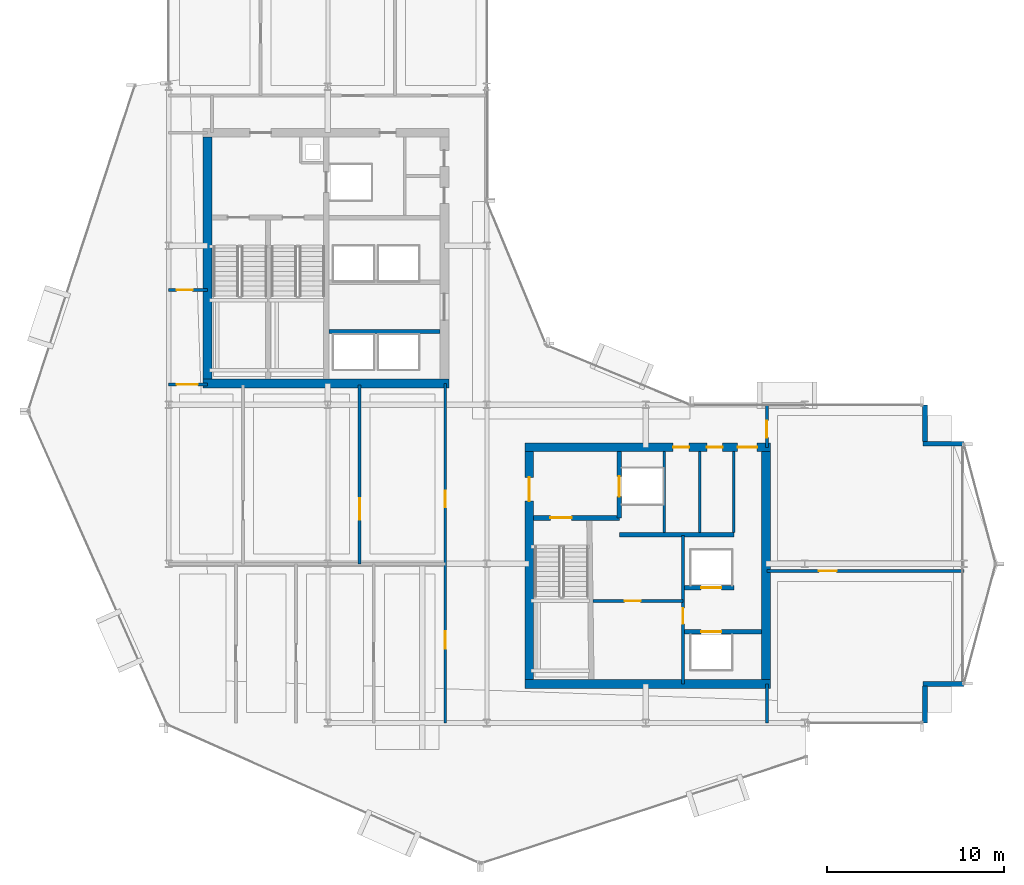
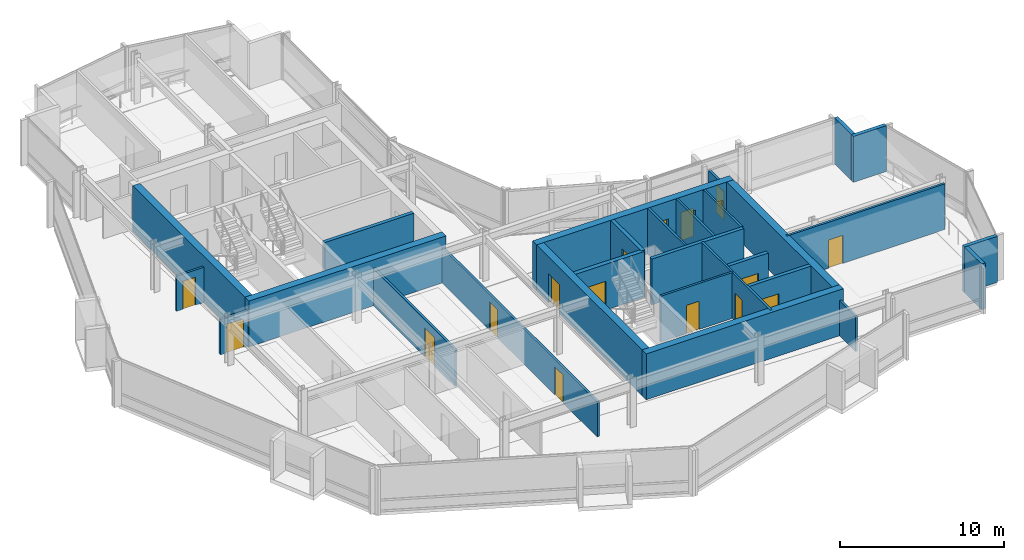
# One storey, part 22 of 28: 28 walls, 17 doors, 17 openings.
"""IFC4 building model written with IfcOpenShell, lengths in metres."""

from ifc_helpers import new_model, si_unit, direction, frame, frame_2d, origin, place, context, subcontext, project, spatial, rectangle, extrude, material, layer, layer_set, type_object, element, fill, save


model = new_model("IFC4")

# Units and contexts
model_context = context("Model", 3, precision=1e-05, world=origin(), true_north=direction((0.0, 1.0)))
body_context = subcontext(model_context, "Body", "Model", "MODEL_VIEW")
ifc_project = project(units=[si_unit("LENGTHUNIT", "METRE"), si_unit("AREAUNIT", "SQUARE_METRE"), si_unit("VOLUMEUNIT", "CUBIC_METRE"), si_unit("PLANEANGLEUNIT", "RADIAN"), si_unit("MASSUNIT", "GRAM", prefix="KILO")], contexts=[model_context])

# Site, building, storey
site_placement = place(None, origin())
site = spatial("IfcSite", under=ifc_project, at=site_placement, CompositionType="ELEMENT")
building_placement = place(site_placement, origin())
building = spatial("IfcBuilding", under=site, at=building_placement, Name="Solvaryn Broadcast Tower", CompositionType="ELEMENT")
storey_placement = place(building_placement, frame((0.0, 0.0, 158.10009765625)))
storey = spatial("IfcBuildingStorey", under=building, at=storey_placement, Name="L39", CompositionType="ELEMENT", Elevation=158.10009765625)

# Walls
ifc_material_1 = material(Name="Concrete f'c 70 MPa", Category="concrete")
ifc_layer_1 = layer(ifc_material_1, 0.5)
ifc_layer_set_1 = layer_set([ifc_layer_1], Name="CW-SHEAR-500")
wall_type_1 = type_object("IfcWallType", Name="CW-SHEAR-500", PredefinedType="SHEAR", material=ifc_layer_set_1)
wall_1_placement = place(storey_placement, frame((10.949951171875, 28.199951171875, 0.0), z_axis=(0.0, 0.0, 1.0), x_axis=(1.0, 0.0, 0.0)))
element("IfcWall", 1, at=wall_1_placement, inside=storey, type_object=wall_type_1, Name="L39 West Core South Shear Wall", PredefinedType="SHEAR", context=body_context, shape_type="SweptSolid", body=[
    extrude(rectangle(XDim=13.900146484375, YDim=0.5, at=frame_2d((6.9501953125, 0.0))), origin(), (0.0, 0.0, 1.0), 3.419921875),
])
wall_2_placement = place(storey_placement, frame((11.199951171875, 42.14990234375, 0.0), z_axis=(0.0, 0.0, 1.0), x_axis=(0.0, -1.0, 0.0)))
element("IfcWall", 2, at=wall_2_placement, inside=storey, type_object=wall_type_1, Name="L39 West Core West Shear Wall", PredefinedType="SHEAR", context=body_context, shape_type="SweptSolid", body=[
    extrude(rectangle(XDim=13.699951171875, YDim=0.5, at=frame_2d((6.85009765625, 0.0))), origin(), (0.0, 0.0, 1.0), 3.419921875),
])
wall_3_placement = place(storey_placement, frame((29.14990234375, 11.199951171875, 0.0), z_axis=(0.0, 0.0, 1.0), x_axis=(1.0, 0.0, 0.0)))
element("IfcWall", 3, at=wall_3_placement, inside=storey, type_object=wall_type_1, Name="L39 East Core South Shear Wall", PredefinedType="SHEAR", context=body_context, shape_type="SweptSolid", body=[
    extrude(rectangle(XDim=13.900146484375, YDim=0.5, at=frame_2d((6.9501953125, 0.0))), origin(), (0.0, 0.0, 1.0), 3.419921875),
])

# Wall, openings, doors
wall_4_placement = place(storey_placement, frame((43.050048828125, 24.60009765625, 0.0), z_axis=(0.0, 0.0, 1.0), x_axis=(-1.0, 0.0, 0.0)))
wall_4 = element("IfcWall", 4, at=wall_4_placement, inside=storey, type_object=wall_type_1, Name="L39 East Core North Shear Wall", PredefinedType="SHEAR", context=body_context, shape_type="SweptSolid", body=[
    extrude(rectangle(XDim=13.900146484375, YDim=0.5, at=frame_2d((6.9501953125, 0.0))), origin(), (0.0, 0.0, 1.0), 3.419921875),
])
opening_1_placement = place(wall_4_placement, frame((0.75, 0.0, 0.0)))
opening_1 = element("IfcOpeningElement", 5, at=opening_1_placement, cuts=wall_4, Name="Opening FD90C", PredefinedType="OPENING", context=body_context, shape_type="SweptSolid", body=[
    extrude(rectangle(XDim=1.10009765625, YDim=2.14990234375, at=frame_2d((0.550048828125, 1.074951171875))), frame((0.0, 0.260009765625, 0.0), z_axis=(0.0, -1.0, 0.0), x_axis=(1.0, 0.0, 0.0)), (0.0, 0.0, 1.0), 0.52001953125),
])
opening_2_placement = place(wall_4_placement, frame((2.699951171875, 0.0, 0.0)))
opening_2 = element("IfcOpeningElement", 6, at=opening_2_placement, cuts=wall_4, Name="Opening FD60C", PredefinedType="OPENING", context=body_context, shape_type="SweptSolid", body=[
    extrude(rectangle(XDim=0.89990234375, YDim=2.10009765625, at=frame_2d((0.449951171875, 1.050048828125))), frame((0.0, 0.260009765625, 0.0), z_axis=(0.0, -1.0, 0.0), x_axis=(1.0, 0.0, 0.0)), (0.0, 0.0, 1.0), 0.52001953125),
])
opening_3_placement = place(wall_4_placement, frame((4.60009765625, 0.0, 0.0)))
opening_3 = element("IfcOpeningElement", 7, at=opening_3_placement, cuts=wall_4, Name="Opening FD60C", PredefinedType="OPENING", context=body_context, shape_type="SweptSolid", body=[
    extrude(rectangle(XDim=0.89990234375, YDim=2.10009765625, at=frame_2d((0.449951171875, 1.050048828125))), frame((0.0, 0.260009765625, 0.0), z_axis=(0.0, -1.0, 0.0), x_axis=(1.0, 0.0, 0.0)), (0.0, 0.0, 1.0), 0.52001953125),
])
ifc_material_2 = material(Name="Flush Acoustic Steel and Timber Door Assembly", Category="steel")
door_type_1 = type_object("IfcDoorType", Name="FD60-SERV-900X2100", OperationType="NOTDEFINED", PredefinedType="DOOR", material=ifc_material_2)
door_1_placement = place(opening_2_placement, origin())
door_1 = element("IfcDoor", 8, at=door_1_placement, inside=storey, type_object=door_type_1, Name="L39 Staff Restroom Door", OperationType="SINGLE_SWING_LEFT", OverallHeight=2.10009765625, OverallWidth=0.89990234375, PredefinedType="DOOR", context=body_context, shape_type="SweptSolid", body=[
    extrude(rectangle(XDim=0.89990234375, YDim=2.10009765625, at=frame_2d((0.449951171875, 1.050048828125))), frame((0.0, 0.02490234375, 0.0), z_axis=(0.0, -1.0, 0.0), x_axis=(1.0, 0.0, 0.0)), (0.0, 0.0, 1.0), 0.050048828125),
])
fill(opening_2, door_1)
door_2_placement = place(opening_3_placement, origin())
door_2 = element("IfcDoor", 9, at=door_2_placement, inside=storey, type_object=door_type_1, Name="L39 Accessible WC Door", OperationType="SINGLE_SWING_RIGHT", OverallHeight=2.10009765625, OverallWidth=0.89990234375, PredefinedType="DOOR", context=body_context, shape_type="SweptSolid", body=[
    extrude(rectangle(XDim=0.89990234375, YDim=2.10009765625, at=frame_2d((0.449951171875, 1.050048828125))), frame((0.0, 0.02490234375, 0.0), z_axis=(0.0, -1.0, 0.0), x_axis=(1.0, 0.0, 0.0)), (0.0, 0.0, 1.0), 0.050048828125),
])
fill(opening_3, door_2)
ifc_material_3 = material(Name="Flush Acoustic Steel and Timber Door Assembly", Category="steel")
door_type_2 = type_object("IfcDoorType", Name="FD90-PLANT-1100X2150", OperationType="NOTDEFINED", PredefinedType="DOOR", material=ifc_material_3)
door_3_placement = place(opening_1_placement, origin())
door_3 = element("IfcDoor", 10, at=door_3_placement, inside=storey, type_object=door_type_2, Name="L39 East Core Lobby Corridor Door", OperationType="SINGLE_SWING_LEFT", OverallHeight=2.14990234375, OverallWidth=1.10009765625, PredefinedType="DOOR", context=body_context, shape_type="SweptSolid", body=[
    extrude(rectangle(XDim=1.10009765625, YDim=2.14990234375, at=frame_2d((0.550048828125, 1.074951171875))), frame((0.0, 0.02490234375, 0.0), z_axis=(0.0, -1.0, 0.0), x_axis=(1.0, 0.0, 0.0)), (0.0, 0.0, 1.0), 0.050048828125),
])
fill(opening_1, door_3)

# Wall, opening, door
wall_5_placement = place(storey_placement, frame((29.39990234375, 24.35009765625, 0.0), z_axis=(0.0, 0.0, 1.0), x_axis=(0.0, -1.0, 0.0)))
wall_5 = element("IfcWall", 11, at=wall_5_placement, inside=storey, type_object=wall_type_1, Name="L39 East Core West Shear Wall", PredefinedType="SHEAR", context=body_context, shape_type="SweptSolid", body=[
    extrude(rectangle(XDim=12.900146484375, YDim=0.5, at=frame_2d((6.4501953125, 0.0))), origin(), (0.0, 0.0, 1.0), 3.419921875),
])
opening_4_placement = place(wall_5_placement, frame((1.449951171875, 0.0, 0.0)))
opening_4 = element("IfcOpeningElement", 12, at=opening_4_placement, cuts=wall_5, Name="Opening FD90B", PredefinedType="OPENING", context=body_context, shape_type="SweptSolid", body=[
    extrude(rectangle(XDim=1.35009765625, YDim=2.14990234375, at=frame_2d((0.675048828125, 1.074951171875))), frame((0.0, 0.260009765625, 0.0), z_axis=(0.0, -1.0, 0.0), x_axis=(1.0, 0.0, 0.0)), (0.0, 0.0, 1.0), 0.52001953125),
])
ifc_material_4 = material(Name="Flush Acoustic Steel and Timber Door Assembly", Category="steel")
door_type_3 = type_object("IfcDoorType", Name="FD90-LOBBY-1350X2150", OperationType="NOTDEFINED", PredefinedType="DOOR", material=ifc_material_4)
door_4_placement = place(opening_4_placement, origin())
door_4 = element("IfcDoor", 13, at=door_4_placement, inside=storey, type_object=door_type_3, Name="L39 East FSAE Lobby Door", OperationType="SINGLE_SWING_RIGHT", OverallHeight=2.14990234375, OverallWidth=1.35009765625, PredefinedType="DOOR", context=body_context, shape_type="SweptSolid", body=[
    extrude(rectangle(XDim=1.35009765625, YDim=2.14990234375, at=frame_2d((0.675048828125, 1.074951171875))), frame((0.0, 0.02490234375, 0.0), z_axis=(0.0, -1.0, 0.0), x_axis=(1.0, 0.0, 0.0)), (0.0, 0.0, 1.0), 0.050048828125),
])
fill(opening_4, door_4)

# Walls
wall_6_placement = place(storey_placement, frame((42.800048828125, 11.449951171875, 0.0), z_axis=(0.0, 0.0, 1.0), x_axis=(0.0, 1.0, 0.0)))
element("IfcWall", 14, at=wall_6_placement, inside=storey, type_object=wall_type_1, Name="L39 East Core East Shear Wall", PredefinedType="SHEAR", context=body_context, shape_type="SweptSolid", body=[
    extrude(rectangle(XDim=12.900146484375, YDim=0.5, at=frame_2d((6.4501953125, 0.0))), origin(), (0.0, 0.0, 1.0), 3.419921875),
])
ifc_material_5 = material(Name="Concrete f'c 50 MPa", Category="concrete")
ifc_layer_2 = layer(ifc_material_5, 0.260009765625)
ifc_layer_set_2 = layer_set([ifc_layer_2], Name="EW-PIER-260")
wall_type_2 = type_object("IfcWallType", Name="EW-PIER-260", PredefinedType="SOLIDWALL", material=ifc_layer_set_2)
wall_7_placement = place(storey_placement, frame((51.800048828125, 9.0, 0.0), z_axis=(0.0, 0.0, 1.0), x_axis=(0.0, 1.0, 0.0)))
element("IfcWall", 15, at=wall_7_placement, inside=storey, type_object=wall_type_2, Name="L39 Notched Corner Pier Wall NSE1", PredefinedType="SOLIDWALL", context=body_context, shape_type="SweptSolid", body=[
    extrude(rectangle(XDim=2.080078125, YDim=0.260009765625, at=frame_2d((1.0400390625, 0.0))), origin(), (0.0, 0.0, 1.0), 3.419921875),
])
for number, where, z_axis, x_axis, name in (
    (16, (51.679931640625, 11.199951171875, 0.0), (0.0, 0.0, 1.0), (1.0, 0.0, 0.0), "L39 Notched Corner Pier Wall NSE2"),
    (17, (54.0, 24.800048828125, 0.0), (0.0, 0.0, 1.0), (-1.0, 0.0, 0.0), "L39 Notched Corner Pier Wall NEE1"),
):
    element("IfcWall", number, at=place(storey_placement, frame(where, z_axis=z_axis, x_axis=x_axis)), inside=storey, type_object=wall_type_2, Name=name, PredefinedType="SOLIDWALL", context=body_context, shape_type="SweptSolid", body=[
        extrude(rectangle(XDim=2.320068359375, YDim=0.260009765625, at=frame_2d((1.16015625, 0.0))), origin(), (0.0, 0.0, 1.0), 3.419921875),
    ])
wall_8_placement = place(storey_placement, frame((51.800048828125, 24.919921875, 0.0), z_axis=(0.0, 0.0, 1.0), x_axis=(0.0, 1.0, 0.0)))
element("IfcWall", 18, at=wall_8_placement, inside=storey, type_object=wall_type_2, Name="L39 Notched Corner Pier Wall NEE2", PredefinedType="SOLIDWALL", context=body_context, shape_type="SweptSolid", body=[
    extrude(rectangle(XDim=2.080078125, YDim=0.260009765625, at=frame_2d((1.0400390625, 0.0))), origin(), (0.0, 0.0, 1.0), 3.419921875),
])

# Wall, opening, door
ifc_material_6 = material(Name="Metal-Stud Service Core Partition")
ifc_layer_3 = layer(ifc_material_6, 0.14990234375)
ifc_layer_set_3 = layer_set([ifc_layer_3], Name="IW-PART-150")
wall_type_3 = type_object("IfcWallType", Name="IW-PART-150", PredefinedType="PARTITIONING", material=ifc_layer_set_3)
wall_9_placement = place(storey_placement, frame((33.0, 15.89990234375, 0.0), z_axis=(0.0, 0.0, 1.0), x_axis=(1.0, 0.0, 0.0)))
wall_9 = element("IfcWall", 19, at=wall_9_placement, inside=storey, type_object=wall_type_3, Name="L39 Interior Partition IW-L39-RPL-H", PredefinedType="PARTITIONING", context=body_context, shape_type="SweptSolid", body=[
    extrude(rectangle(XDim=5.10009765625, YDim=0.14990234375, at=frame_2d((2.550048828125, 0.0))), origin(), (0.0, 0.0, 1.0), 3.419921875),
])
opening_5_placement = place(wall_9_placement, frame((1.800048828125, 0.0, 0.0)))
opening_5 = element("IfcOpeningElement", 20, at=opening_5_placement, cuts=wall_9, Name="Opening FD60C", PredefinedType="OPENING", context=body_context, shape_type="SweptSolid", body=[
    extrude(rectangle(XDim=0.89990234375, YDim=2.10009765625, at=frame_2d((0.449951171875, 1.050048828125))), frame((0.0, 0.0849609375, 0.0), z_axis=(0.0, -1.0, 0.0), x_axis=(1.0, 0.0, 0.0)), (0.0, 0.0, 1.0), 0.169921875),
])
door_5_placement = place(opening_5_placement, origin())
door_5 = element("IfcDoor", 21, at=door_5_placement, inside=storey, type_object=door_type_1, Name="L39 Door DR-L39-RPL1", OperationType="SINGLE_SWING_LEFT", OverallHeight=2.10009765625, OverallWidth=0.89990234375, PredefinedType="DOOR", context=body_context, shape_type="SweptSolid", body=[
    extrude(rectangle(XDim=0.89990234375, YDim=2.10009765625, at=frame_2d((0.449951171875, 1.050048828125))), frame((0.0, 0.02490234375, 0.0), z_axis=(0.0, -1.0, 0.0), x_axis=(1.0, 0.0, 0.0)), (0.0, 0.0, 1.0), 0.050048828125),
])
fill(opening_5, door_5)

wall_10_placement = place(storey_placement, frame((38.10009765625, 11.199951171875, 0.0), z_axis=(0.0, 0.0, 1.0), x_axis=(0.0, 1.0, 0.0)))
wall_10 = element("IfcWall", 22, at=wall_10_placement, inside=storey, type_object=wall_type_3, Name="L39 Interior Partition IW-L39-RPL-E", PredefinedType="PARTITIONING", context=body_context, shape_type="SweptSolid", body=[
    extrude(rectangle(XDim=8.400146484375, YDim=0.14990234375, at=frame_2d((4.2001953125, 0.0))), origin(), (0.0, 0.0, 1.0), 3.419921875),
])
opening_6_placement = place(wall_10_placement, frame((3.39990234375, 0.0, 0.0)))
opening_6 = element("IfcOpeningElement", 23, at=opening_6_placement, cuts=wall_10, Name="Opening FD60C", PredefinedType="OPENING", context=body_context, shape_type="SweptSolid", body=[
    extrude(rectangle(XDim=0.89990234375, YDim=2.10009765625, at=frame_2d((0.449951171875, 1.050048828125))), frame((0.0, 0.0849609375, 0.0), z_axis=(0.0, -1.0, 0.0), x_axis=(1.0, 0.0, 0.0)), (0.0, 0.0, 1.0), 0.169921875),
])
door_6_placement = place(opening_6_placement, origin())
door_6 = element("IfcDoor", 24, at=door_6_placement, inside=storey, type_object=door_type_1, Name="L39 Door DR-L39-RPL2", OperationType="SINGLE_SWING_RIGHT", OverallHeight=2.10009765625, OverallWidth=0.89990234375, PredefinedType="DOOR", context=body_context, shape_type="SweptSolid", body=[
    extrude(rectangle(XDim=0.89990234375, YDim=2.10009765625, at=frame_2d((0.449951171875, 1.050048828125))), frame((0.0, 0.02490234375, 0.0), z_axis=(0.0, -1.0, 0.0), x_axis=(1.0, 0.0, 0.0)), (0.0, 0.0, 1.0), 0.050048828125),
])
fill(opening_6, door_6)

# Walls
for number, where, z_axis, x_axis, name in (
    (25, (37.050048828125, 19.780029296875, 0.0), (0.0, 0.0, 1.0), (0.0, 1.0, 0.0), "L39 Interior Partition IW-L39-CE-FL2E"),
    (26, (39.050048828125, 19.780029296875, 0.0), (0.0, 0.0, 1.0), (0.0, 1.0, 0.0), "L39 Interior Partition IW-L39-CE-V1"),
    (27, (40.97998046875, 19.780029296875, 0.0), (0.0, 0.0, 1.0), (0.0, 1.0, 0.0), "L39 Interior Partition IW-L39-CE-V3"),
):
    element("IfcWall", number, at=place(storey_placement, frame(where, z_axis=z_axis, x_axis=x_axis)), inside=storey, type_object=wall_type_3, Name=name, PredefinedType="PARTITIONING", context=body_context, shape_type="SweptSolid", body=[
        extrude(rectangle(XDim=4.570068359375, YDim=0.14990234375, at=frame_2d((2.28515625, 0.0))), origin(), (0.0, 0.0, 1.0), 3.419921875),
    ])

# Wall, opening, door
wall_11_placement = place(storey_placement, frame((9.0, 33.5, 0.0), z_axis=(0.0, 0.0, 1.0), x_axis=(1.0, 0.0, 0.0)))
wall_11 = element("IfcWall", 28, at=wall_11_placement, inside=storey, type_object=wall_type_3, Name="L39 Interior Partition IW-L39-WM-M", PredefinedType="PARTITIONING", context=body_context, shape_type="SweptSolid", body=[
    extrude(rectangle(XDim=2.199951171875, YDim=0.14990234375, at=frame_2d((1.10009765625, 0.0))), origin(), (0.0, 0.0, 1.0), 2.6337890625),
])
opening_7_placement = place(wall_11_placement, frame((0.449951171875, 0.0, 0.0)))
opening_7 = element("IfcOpeningElement", 29, at=opening_7_placement, cuts=wall_11, Name="Opening FD60C", PredefinedType="OPENING", context=body_context, shape_type="SweptSolid", body=[
    extrude(rectangle(XDim=0.89990234375, YDim=2.10009765625, at=frame_2d((0.449951171875, 1.050048828125))), frame((0.0, 0.0849609375, 0.0), z_axis=(0.0, -1.0, 0.0), x_axis=(1.0, 0.0, 0.0)), (0.0, 0.0, 1.0), 0.169921875),
])
door_7_placement = place(opening_7_placement, origin())
door_7 = element("IfcDoor", 30, at=door_7_placement, inside=storey, type_object=door_type_1, Name="L39 Door DR-L39-WM1", OperationType="SINGLE_SWING_LEFT", OverallHeight=2.10009765625, OverallWidth=0.89990234375, PredefinedType="DOOR", context=body_context, shape_type="SweptSolid", body=[
    extrude(rectangle(XDim=0.89990234375, YDim=2.10009765625, at=frame_2d((0.449951171875, 1.050048828125))), frame((0.0, 0.02490234375, 0.0), z_axis=(0.0, -1.0, 0.0), x_axis=(1.0, 0.0, 0.0)), (0.0, 0.0, 1.0), 0.050048828125),
])
fill(opening_7, door_7)

ifc_material_7 = material(Name="Metal-Stud Gypsum Office Partition")
ifc_layer_4 = layer(ifc_material_7, 0.159912109375)
ifc_layer_set_4 = layer_set([ifc_layer_4], Name="IW-PART-160")
wall_type_4 = type_object("IfcWallType", Name="IW-PART-160", PredefinedType="PARTITIONING", material=ifc_layer_set_4)
wall_12_placement = place(storey_placement, frame((9.0, 28.14990234375, 0.0), z_axis=(0.0, 0.0, 1.0), x_axis=(1.0, 0.0, 0.0)))
wall_12 = element("IfcWall", 31, at=wall_12_placement, inside=storey, type_object=wall_type_4, Name="L39 Interior Partition IW-L39-WM-S", PredefinedType="PARTITIONING", context=body_context, shape_type="SweptSolid", body=[
    extrude(rectangle(XDim=2.199951171875, YDim=0.159912109375, at=frame_2d((1.10009765625, 0.0))), origin(), (0.0, 0.0, 1.0), 2.6337890625),
])
opening_8_placement = place(wall_12_placement, frame((0.449951171875, 0.0, 0.0)))
opening_8 = element("IfcOpeningElement", 32, at=opening_8_placement, cuts=wall_12, Name="Opening ID04", PredefinedType="OPENING", context=body_context, shape_type="SweptSolid", body=[
    extrude(rectangle(XDim=1.199951171875, YDim=2.14990234375, at=frame_2d((0.60009765625, 1.074951171875))), frame((0.0, 0.090087890625, 0.0), z_axis=(0.0, -1.0, 0.0), x_axis=(1.0, 0.0, 0.0)), (0.0, 0.0, 1.0), 0.179931640625),
])
ifc_material_8 = material(Name="Flush Acoustic Steel and Timber Door Assembly", Category="steel")
door_type_4 = type_object("IfcDoorType", Name="ID-04-1200X2150", OperationType="NOTDEFINED", PredefinedType="DOOR", material=ifc_material_8)
door_8_placement = place(opening_8_placement, origin())
door_8 = element("IfcDoor", 33, at=door_8_placement, inside=storey, type_object=door_type_4, Name="L39 Door DR-L39-WM0", OperationType="SINGLE_SWING_RIGHT", OverallHeight=2.14990234375, OverallWidth=1.199951171875, PredefinedType="DOOR", context=body_context, shape_type="SweptSolid", body=[
    extrude(rectangle(XDim=1.199951171875, YDim=2.14990234375, at=frame_2d((0.60009765625, 1.074951171875))), frame((0.0, 0.02490234375, 0.0), z_axis=(0.0, -1.0, 0.0), x_axis=(1.0, 0.0, 0.0)), (0.0, 0.0, 1.0), 0.050048828125),
])
fill(opening_8, door_8)

# Wall, openings, doors
wall_13_placement = place(storey_placement, frame((24.64990234375, 9.0, 0.0), z_axis=(0.0, 0.0, 1.0), x_axis=(0.0, 1.0, 0.0)))
wall_13 = element("IfcWall", 34, at=wall_13_placement, inside=storey, type_object=wall_type_4, Name="L39 Interior Partition IW-L39-SW-EB", PredefinedType="PARTITIONING", context=body_context, shape_type="SweptSolid", body=[
    extrude(rectangle(XDim=19.199951171875, YDim=0.159912109375, at=frame_2d((9.60009765625, 0.0))), origin(), (0.0, 0.0, 1.0), 2.6337890625),
])
opening_9_placement = place(wall_13_placement, frame((12.199951171875, 0.0, 0.0)))
opening_9 = element("IfcOpeningElement", 35, at=opening_9_placement, cuts=wall_13, Name="Opening ID01", PredefinedType="OPENING", context=body_context, shape_type="SweptSolid", body=[
    extrude(rectangle(XDim=0.949951171875, YDim=2.10009765625, at=frame_2d((0.47509765625, 1.050048828125))), frame((0.0, 0.090087890625, 0.0), z_axis=(0.0, -1.0, 0.0), x_axis=(1.0, 0.0, 0.0)), (0.0, 0.0, 1.0), 0.179931640625),
])
opening_10_placement = place(wall_13_placement, frame((4.199951171875, 0.0, 0.0)))
opening_10 = element("IfcOpeningElement", 36, at=opening_10_placement, cuts=wall_13, Name="Opening ID02", PredefinedType="OPENING", context=body_context, shape_type="SweptSolid", body=[
    extrude(rectangle(XDim=1.0, YDim=2.10009765625, at=frame_2d((0.5, 1.050048828125))), frame((0.0, 0.090087890625, 0.0), z_axis=(0.0, -1.0, 0.0), x_axis=(1.0, 0.0, 0.0)), (0.0, 0.0, 1.0), 0.179931640625),
])
ifc_material_9 = material(Name="Flush Acoustic Steel and Timber Door Assembly", Category="steel")
door_type_5 = type_object("IfcDoorType", Name="ID-01-950X2100", OperationType="NOTDEFINED", PredefinedType="DOOR", material=ifc_material_9)
door_9_placement = place(opening_9_placement, origin())
door_9 = element("IfcDoor", 37, at=door_9_placement, inside=storey, type_object=door_type_5, Name="L39 Door DR-L39-SW-EN", OperationType="SINGLE_SWING_RIGHT", OverallHeight=2.10009765625, OverallWidth=0.949951171875, PredefinedType="DOOR", context=body_context, shape_type="SweptSolid", body=[
    extrude(rectangle(XDim=0.949951171875, YDim=2.10009765625, at=frame_2d((0.47509765625, 1.050048828125))), frame((0.0, 0.02490234375, 0.0), z_axis=(0.0, -1.0, 0.0), x_axis=(1.0, 0.0, 0.0)), (0.0, 0.0, 1.0), 0.050048828125),
])
fill(opening_9, door_9)
ifc_material_10 = material(Name="Flush Acoustic Steel and Timber Door Assembly", Category="steel")
door_type_6 = type_object("IfcDoorType", Name="ID-02-1000X2100", OperationType="NOTDEFINED", PredefinedType="DOOR", material=ifc_material_10)
door_10_placement = place(opening_10_placement, origin())
door_10 = element("IfcDoor", 38, at=door_10_placement, inside=storey, type_object=door_type_6, Name="L39 Door DR-L39-SW-ES", OperationType="SINGLE_SWING_LEFT", OverallHeight=2.10009765625, OverallWidth=1.0, PredefinedType="DOOR", context=body_context, shape_type="SweptSolid", body=[
    extrude(rectangle(XDim=1.0, YDim=2.10009765625, at=frame_2d((0.5, 1.050048828125))), frame((0.0, 0.02490234375, 0.0), z_axis=(0.0, -1.0, 0.0), x_axis=(1.0, 0.0, 0.0)), (0.0, 0.0, 1.0), 0.050048828125),
])
fill(opening_10, door_10)

# Wall, opening, door
wall_14_placement = place(storey_placement, frame((19.800048828125, 18.0, 0.0), z_axis=(0.0, 0.0, 1.0), x_axis=(0.0, 1.0, 0.0)))
wall_14 = element("IfcWall", 39, at=wall_14_placement, inside=storey, type_object=wall_type_4, Name="L39 Interior Partition IW-L39-SWN-V2", PredefinedType="PARTITIONING", context=body_context, shape_type="SweptSolid", body=[
    extrude(rectangle(XDim=10.1298828125, YDim=0.159912109375, at=frame_2d((5.06494140625, 0.0))), origin(), (0.0, 0.0, 1.0), 2.788818359375),
])
opening_11_placement = place(wall_14_placement, frame((2.5, 0.0, 0.0)))
opening_11 = element("IfcOpeningElement", 40, at=opening_11_placement, cuts=wall_14, Name="Opening ID04", PredefinedType="OPENING", context=body_context, shape_type="SweptSolid", body=[
    extrude(rectangle(XDim=1.199951171875, YDim=2.14990234375, at=frame_2d((0.60009765625, 1.074951171875))), frame((0.0, 0.090087890625, 0.0), z_axis=(0.0, -1.0, 0.0), x_axis=(1.0, 0.0, 0.0)), (0.0, 0.0, 1.0), 0.179931640625),
])
door_11_placement = place(opening_11_placement, origin())
door_11 = element("IfcDoor", 41, at=door_11_placement, inside=storey, type_object=door_type_4, Name="L39 Door DR-L39-SWN-2", OperationType="SINGLE_SWING_LEFT", OverallHeight=2.14990234375, OverallWidth=1.199951171875, PredefinedType="DOOR", context=body_context, shape_type="SweptSolid", body=[
    extrude(rectangle(XDim=1.199951171875, YDim=2.14990234375, at=frame_2d((0.60009765625, 1.074951171875))), frame((0.0, 0.02490234375, 0.0), z_axis=(0.0, -1.0, 0.0), x_axis=(1.0, 0.0, 0.0)), (0.0, 0.0, 1.0), 0.050048828125),
])
fill(opening_11, door_11)

# Wall
wall_15_placement = place(storey_placement, frame((42.85009765625, 9.0, 0.0), z_axis=(0.0, 0.0, 1.0), x_axis=(0.0, 1.0, 0.0)))
element("IfcWall", 42, at=wall_15_placement, inside=storey, type_object=wall_type_4, Name="L39 Interior Partition IW-L39-SC-E", PredefinedType="PARTITIONING", context=body_context, shape_type="SweptSolid", body=[
    extrude(rectangle(XDim=2.199951171875, YDim=0.159912109375, at=frame_2d((1.10009765625, 0.0))), origin(), (0.0, 0.0, 1.0), 2.6337890625),
])

# Wall, opening, door
wall_16_placement = place(storey_placement, frame((42.85009765625, 24.60009765625, 0.0), z_axis=(0.0, 0.0, 1.0), x_axis=(0.0, 1.0, 0.0)))
wall_16 = element("IfcWall", 43, at=wall_16_placement, inside=storey, type_object=wall_type_4, Name="L39 Interior Partition IW-L39-EW-BN", PredefinedType="PARTITIONING", context=body_context, shape_type="SweptSolid", body=[
    extrude(rectangle(XDim=2.39990234375, YDim=0.159912109375, at=frame_2d((1.199951171875, 0.0))), origin(), (0.0, 0.0, 1.0), 2.6337890625),
])
opening_12_placement = place(wall_16_placement, frame((0.550048828125, 0.0, 0.0)))
opening_12 = element("IfcOpeningElement", 44, at=opening_12_placement, cuts=wall_16, Name="Opening ID01", PredefinedType="OPENING", context=body_context, shape_type="SweptSolid", body=[
    extrude(rectangle(XDim=0.949951171875, YDim=2.10009765625, at=frame_2d((0.47509765625, 1.050048828125))), frame((0.0, 0.090087890625, 0.0), z_axis=(0.0, -1.0, 0.0), x_axis=(1.0, 0.0, 0.0)), (0.0, 0.0, 1.0), 0.179931640625),
])
door_12_placement = place(opening_12_placement, origin())
door_12 = element("IfcDoor", 45, at=door_12_placement, inside=storey, type_object=door_type_5, Name="L39 Door DR-L39-EW0", OperationType="SINGLE_SWING_RIGHT", OverallHeight=2.10009765625, OverallWidth=0.949951171875, PredefinedType="DOOR", context=body_context, shape_type="SweptSolid", body=[
    extrude(rectangle(XDim=0.949951171875, YDim=2.10009765625, at=frame_2d((0.47509765625, 1.050048828125))), frame((0.0, 0.02490234375, 0.0), z_axis=(0.0, -1.0, 0.0), x_axis=(1.0, 0.0, 0.0)), (0.0, 0.0, 1.0), 0.050048828125),
])
fill(opening_12, door_12)

wall_17_placement = place(storey_placement, frame((42.85009765625, 17.60009765625, 0.0), z_axis=(0.0, 0.0, 1.0), x_axis=(1.0, 0.0, 0.0)))
wall_17 = element("IfcWall", 46, at=wall_17_placement, inside=storey, type_object=wall_type_4, Name="L39 Interior Partition IW-L39-EW-H1", PredefinedType="PARTITIONING", context=body_context, shape_type="SweptSolid", body=[
    extrude(rectangle(XDim=11.14990234375, YDim=0.159912109375, at=frame_2d((5.574951171875, 0.0))), origin(), (0.0, 0.0, 1.0), 3.419921875),
])
opening_13_placement = place(wall_17_placement, frame((2.949951171875, 0.0, 0.0)))
opening_13 = element("IfcOpeningElement", 47, at=opening_13_placement, cuts=wall_17, Name="Opening ID02", PredefinedType="OPENING", context=body_context, shape_type="SweptSolid", body=[
    extrude(rectangle(XDim=1.0, YDim=2.10009765625, at=frame_2d((0.5, 1.050048828125))), frame((0.0, 0.090087890625, 0.0), z_axis=(0.0, -1.0, 0.0), x_axis=(1.0, 0.0, 0.0)), (0.0, 0.0, 1.0), 0.179931640625),
])
door_13_placement = place(opening_13_placement, origin())
door_13 = element("IfcDoor", 48, at=door_13_placement, inside=storey, type_object=door_type_6, Name="L39 Door DR-L39-EW-1", OperationType="SINGLE_SWING_LEFT", OverallHeight=2.10009765625, OverallWidth=1.0, PredefinedType="DOOR", context=body_context, shape_type="SweptSolid", body=[
    extrude(rectangle(XDim=1.0, YDim=2.10009765625, at=frame_2d((0.5, 1.050048828125))), frame((0.0, 0.02490234375, 0.0), z_axis=(0.0, -1.0, 0.0), x_axis=(1.0, 0.0, 0.0)), (0.0, 0.0, 1.0), 0.050048828125),
])
fill(opening_13, door_13)

# Wall
ifc_material_11 = material(Name="Concrete f'c 60 MPa", Category="concrete")
ifc_layer_5 = layer(ifc_material_11, 0.25)
ifc_layer_set_5 = layer_set([ifc_layer_5], Name="SW-SHAFT-250")
wall_type_5 = type_object("IfcWallType", Name="SW-SHAFT-250", PredefinedType="PARTITIONING", material=ifc_layer_set_5)
wall_18_placement = place(storey_placement, frame((18.070068359375, 31.14990234375, 0.0), z_axis=(0.0, 0.0, 1.0), x_axis=(1.0, 0.0, 0.0)))
element("IfcWall", 49, at=wall_18_placement, inside=storey, type_object=wall_type_5, Name="L39 High-Rise Lift Bank South Wall", PredefinedType="PARTITIONING", context=body_context, shape_type="SweptSolid", body=[
    extrude(rectangle(XDim=6.280029296875, YDim=0.25, at=frame_2d((3.14013671875, 0.0))), origin(), (0.0, 0.0, 1.0), 3.419921875),
])

# Wall, opening, door
wall_19_placement = place(storey_placement, frame((34.5, 20.60009765625, 0.0), z_axis=(0.0, 0.0, 1.0), x_axis=(0.0, 1.0, 0.0)))
wall_19 = element("IfcWall", 50, at=wall_19_placement, inside=storey, type_object=wall_type_5, Name="L39 East FSAE Lobby East Wall", PredefinedType="PARTITIONING", context=body_context, shape_type="SweptSolid", body=[
    extrude(rectangle(XDim=3.75, YDim=0.25, at=frame_2d((1.875, 0.0))), origin(), (0.0, 0.0, 1.0), 3.419921875),
])
opening_14_placement = place(wall_19_placement, frame((1.199951171875, 0.0, 0.0)))
opening_14 = element("IfcOpeningElement", 51, at=opening_14_placement, cuts=wall_19, Name="Opening LD01", PredefinedType="OPENING", context=body_context, shape_type="SweptSolid", body=[
    extrude(rectangle(XDim=1.14990234375, YDim=2.14990234375, at=frame_2d((0.574951171875, 1.074951171875))), frame((0.0, 0.135009765625, 0.0), z_axis=(0.0, -1.0, 0.0), x_axis=(1.0, 0.0, 0.0)), (0.0, 0.0, 1.0), 0.27001953125),
])
ifc_material_12 = material(Name="Flush Acoustic Steel and Timber Door Assembly", Category="steel")
door_type_7 = type_object("IfcDoorType", Name="LD-LIFT-1150X2150", OperationType="NOTDEFINED", PredefinedType="DOOR", material=ifc_material_12)
door_14_placement = place(opening_14_placement, origin())
door_14 = element("IfcDoor", 52, at=door_14_placement, inside=storey, type_object=door_type_7, Name="L39 FL2 Lift Landing Door", OperationType="DOUBLE_DOOR_SLIDING", OverallHeight=2.14990234375, OverallWidth=1.14990234375, PredefinedType="DOOR", context=body_context, shape_type="SweptSolid", body=[
    extrude(rectangle(XDim=1.14990234375, YDim=2.14990234375, at=frame_2d((0.574951171875, 1.074951171875))), frame((0.0, 0.02490234375, 0.0), z_axis=(0.0, -1.0, 0.0), x_axis=(1.0, 0.0, 0.0)), (0.0, 0.0, 1.0), 0.050048828125),
])
fill(opening_14, door_14)

# Wall
wall_20_placement = place(storey_placement, frame((34.5, 19.64990234375, 0.0), z_axis=(0.0, 0.0, 1.0), x_axis=(1.0, 0.0, 0.0)))
element("IfcWall", 53, at=wall_20_placement, inside=storey, type_object=wall_type_5, Name="L39 East Core Restroom South Wall", PredefinedType="PARTITIONING", context=body_context, shape_type="SweptSolid", body=[
    extrude(rectangle(XDim=6.47998046875, YDim=0.25, at=frame_2d((3.239990234375, 0.0))), origin(), (0.0, 0.0, 1.0), 3.419921875),
])

# Wall, opening, door
wall_21_placement = place(storey_placement, frame((38.199951171875, 14.14990234375, 0.0), z_axis=(0.0, 0.0, 1.0), x_axis=(1.0, 0.0, 0.0)))
wall_21 = element("IfcWall", 54, at=wall_21_placement, inside=storey, type_object=wall_type_5, Name="L39 East Lift Bank South Wall", PredefinedType="PARTITIONING", context=body_context, shape_type="SweptSolid", body=[
    extrude(rectangle(XDim=4.35009765625, YDim=0.25, at=frame_2d((2.175048828125, 0.0))), origin(), (0.0, 0.0, 1.0), 3.419921875),
])
opening_15_placement = place(wall_21_placement, frame((0.925048828125, 0.0, 0.0)))
opening_15 = element("IfcOpeningElement", 55, at=opening_15_placement, cuts=wall_21, Name="Opening LD01", PredefinedType="OPENING", context=body_context, shape_type="SweptSolid", body=[
    extrude(rectangle(XDim=1.14990234375, YDim=2.14990234375, at=frame_2d((0.574951171875, 1.074951171875))), frame((0.0, 0.135009765625, 0.0), z_axis=(0.0, -1.0, 0.0), x_axis=(1.0, 0.0, 0.0)), (0.0, 0.0, 1.0), 0.27001953125),
])
door_15_placement = place(opening_15_placement, origin())
door_15 = element("IfcDoor", 56, at=door_15_placement, inside=storey, type_object=door_type_7, Name="L39 PM1 Lift Landing Door", OperationType="DOUBLE_DOOR_SLIDING", OverallHeight=2.14990234375, OverallWidth=1.14990234375, PredefinedType="DOOR", context=body_context, shape_type="SweptSolid", body=[
    extrude(rectangle(XDim=1.14990234375, YDim=2.14990234375, at=frame_2d((0.574951171875, 1.074951171875))), frame((0.0, 0.02490234375, 0.0), z_axis=(0.0, -1.0, 0.0), x_axis=(1.0, 0.0, 0.0)), (0.0, 0.0, 1.0), 0.050048828125),
])
fill(opening_15, door_15)

wall_22_placement = place(storey_placement, frame((40.97998046875, 16.64990234375, 0.0), z_axis=(0.0, 0.0, 1.0), x_axis=(-1.0, 0.0, 0.0)))
wall_22 = element("IfcWall", 57, at=wall_22_placement, inside=storey, type_object=wall_type_5, Name="L39 East Lift Bank North Wall", PredefinedType="PARTITIONING", context=body_context, shape_type="SweptSolid", body=[
    extrude(rectangle(XDim=2.780029296875, YDim=0.25, at=frame_2d((1.39013671875, 0.0))), origin(), (0.0, 0.0, 1.0), 3.419921875),
])
opening_16_placement = place(wall_22_placement, frame((0.705078125, 0.0, 0.0)))
opening_16 = element("IfcOpeningElement", 58, at=opening_16_placement, cuts=wall_22, Name="Opening LD01", PredefinedType="OPENING", context=body_context, shape_type="SweptSolid", body=[
    extrude(rectangle(XDim=1.14990234375, YDim=2.14990234375, at=frame_2d((0.574951171875, 1.074951171875))), frame((0.0, 0.135009765625, 0.0), z_axis=(0.0, -1.0, 0.0), x_axis=(1.0, 0.0, 0.0)), (0.0, 0.0, 1.0), 0.27001953125),
])
door_16_placement = place(opening_16_placement, origin())
door_16 = element("IfcDoor", 59, at=door_16_placement, inside=storey, type_object=door_type_7, Name="L39 PM2 Lift Landing Door", OperationType="DOUBLE_DOOR_SLIDING", OverallHeight=2.14990234375, OverallWidth=1.14990234375, PredefinedType="DOOR", context=body_context, shape_type="SweptSolid", body=[
    extrude(rectangle(XDim=1.14990234375, YDim=2.14990234375, at=frame_2d((0.574951171875, 1.074951171875))), frame((0.0, 0.02490234375, 0.0), z_axis=(0.0, -1.0, 0.0), x_axis=(1.0, 0.0, 0.0)), (0.0, 0.0, 1.0), 0.050048828125),
])
fill(opening_16, door_16)

ifc_material_13 = material(Name="Concrete f'c 70 MPa", Category="concrete")
ifc_layer_6 = layer(ifc_material_13, 0.300048828125)
ifc_layer_set_6 = layer_set([ifc_layer_6], Name="SW-SHAFT-300")
wall_type_6 = type_object("IfcWallType", Name="SW-SHAFT-300", PredefinedType="SHEAR", material=ifc_layer_set_6)
wall_23_placement = place(storey_placement, frame((34.5, 20.60009765625, 0.0), z_axis=(0.0, 0.0, 1.0), x_axis=(-1.0, 0.0, 0.0)))
wall_23 = element("IfcWall", 60, at=wall_23_placement, inside=storey, type_object=wall_type_6, Name="L39 East FSAE Lobby South Wall", PredefinedType="SHEAR", context=body_context, shape_type="SweptSolid", body=[
    extrude(rectangle(XDim=4.85009765625, YDim=0.300048828125, at=frame_2d((2.425048828125, 0.0))), origin(), (0.0, 0.0, 1.0), 3.419921875),
])
opening_17_placement = place(wall_23_placement, frame((2.699951171875, 0.0, 0.0)))
opening_17 = element("IfcOpeningElement", 61, at=opening_17_placement, cuts=wall_23, Name="Opening FD90A", PredefinedType="OPENING", context=body_context, shape_type="SweptSolid", body=[
    extrude(rectangle(XDim=1.199951171875, YDim=2.14990234375, at=frame_2d((0.60009765625, 1.074951171875))), frame((0.0, 0.159912109375, 0.0), z_axis=(0.0, -1.0, 0.0), x_axis=(1.0, 0.0, 0.0)), (0.0, 0.0, 1.0), 0.320068359375),
])
ifc_material_14 = material(Name="Flush Acoustic Steel and Timber Door Assembly", Category="steel")
door_type_8 = type_object("IfcDoorType", Name="FD90-STAIR-1200X2150", OperationType="NOTDEFINED", PredefinedType="DOOR", material=ifc_material_14)
door_17_placement = place(opening_17_placement, origin())
door_17 = element("IfcDoor", 62, at=door_17_placement, inside=storey, type_object=door_type_8, Name="L39 Stair 3 Fire Door", OperationType="SINGLE_SWING_LEFT", OverallHeight=2.14990234375, OverallWidth=1.199951171875, PredefinedType="DOOR", context=body_context, shape_type="SweptSolid", body=[
    extrude(rectangle(XDim=1.199951171875, YDim=2.14990234375, at=frame_2d((0.60009765625, 1.074951171875))), frame((0.0, 0.02490234375, 0.0), z_axis=(0.0, -1.0, 0.0), x_axis=(1.0, 0.0, 0.0)), (0.0, 0.0, 1.0), 0.050048828125),
])
fill(opening_17, door_17)

save(model, "model.ifc")
